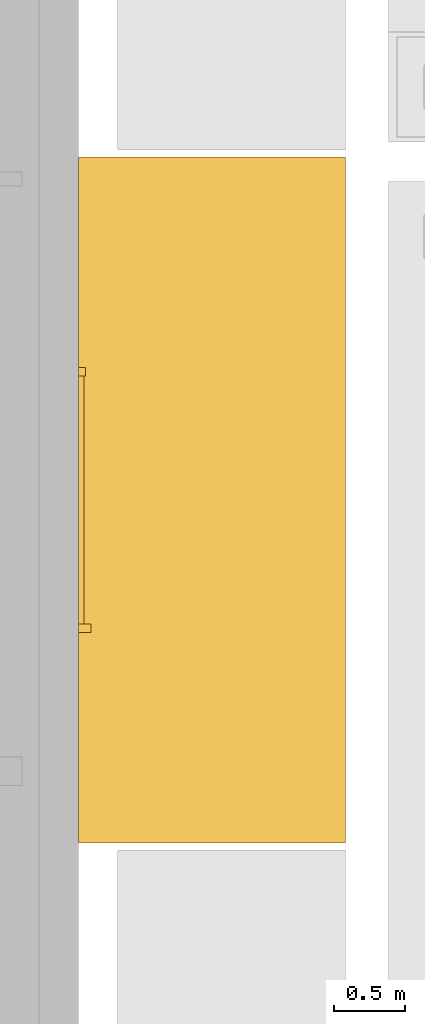
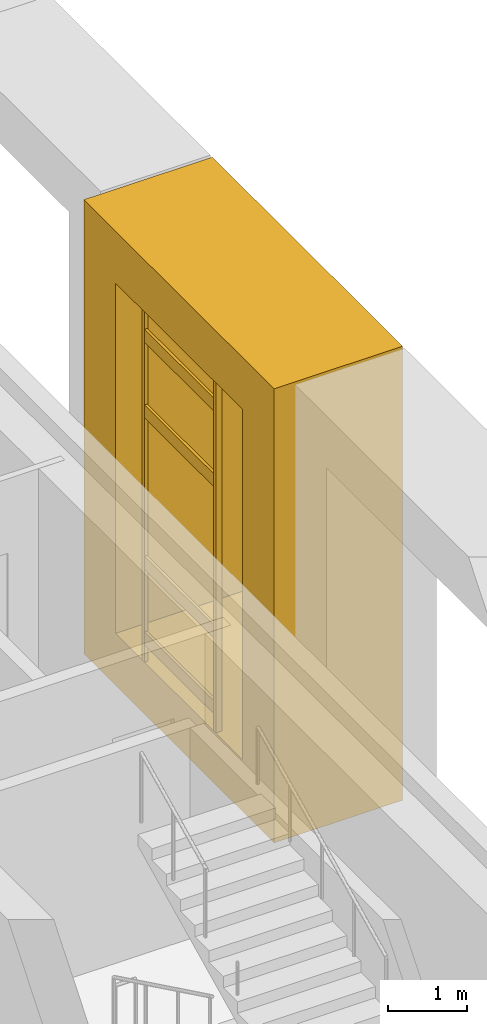
# One storey, part 20 of 22: 7 coverings.
"""IFC4 building model written with IfcOpenShell, lengths in metres."""

from ifc_helpers import new_model, si_unit, direction, frame, origin, origin_2d, place, context, subcontext, project, spatial, polyline, rectangle, outline, extrude, material, type_object, element, save


model = new_model("IFC4")

# Units and contexts
model_context = context("Model", 3, precision=1e-05, world=origin(), true_north=direction((0.0, 1.0)))
body_context = subcontext(model_context, "Body", "Model", "MODEL_VIEW")
ifc_project = project(units=[si_unit("LENGTHUNIT", "METRE"), si_unit("AREAUNIT", "SQUARE_METRE"), si_unit("VOLUMEUNIT", "CUBIC_METRE"), si_unit("PLANEANGLEUNIT", "RADIAN"), si_unit("MASSUNIT", "GRAM", prefix="KILO")], contexts=[model_context])

# Site, building, storey
site_placement = place(None, origin())
site = spatial("IfcSite", under=ifc_project, at=site_placement, CompositionType="ELEMENT")
building_placement = place(site_placement, origin())
building = spatial("IfcBuilding", under=site, at=building_placement, Name="Cobrizo Arcos Hotel Tower", CompositionType="ELEMENT")
storey_placement = place(building_placement, frame((0.0, 0.0, 162.0)))
storey = spatial("IfcBuildingStorey", under=building, at=storey_placement, Name="L41", CompositionType="ELEMENT", Elevation=162.0)

# Coverings
ifc_material_1 = material(Name="Aluminium 6063-T6 anodised bronze", Category="aluminium")
covering_type_1 = type_object("IfcCoveringType", Name="FIN-F 1875", PredefinedType="CLADDING", material=ifc_material_1)
covering_1_placement = place(storey_placement, frame((21.875, -2.403564453125, 0.0), z_axis=(1.0, 0.0, 0.0), x_axis=(0.0, 1.0, 0.0)))
element("IfcCovering", 1, at=covering_1_placement, inside=storey, type_object=covering_type_1, Name="Fin frame 213", PredefinedType="CLADDING", context=body_context, shape_type="SweptSolid", body=[
    extrude(outline(polyline([(0.0, 7.0), (0.0, 0.0), (4.80712890625, 0.0), (4.80712890625, 7.0), (0.0, 7.0)]), holes=[polyline([(4.007080078125, 0.800048828125), (0.800048828125, 0.800048828125), (0.800048828125, 6.199951171875), (4.007080078125, 6.199951171875), (4.007080078125, 0.800048828125)])]), origin(), (0.0, 0.0, 1.0), 1.875),
])
ifc_material_2 = material(Name="Aluminium 6063-T6 anodised pale", Category="aluminium")
covering_type_2 = type_object("IfcCoveringType", Name="RS-1 rainscreen rib 60x90", PredefinedType="CLADDING", material=ifc_material_2)
covering_2_placement = place(storey_placement, frame((21.919921875, -0.89990234375, 0.800048828125), z_axis=(0.0, 0.0, 1.0), x_axis=(0.0, 1.0, 0.0)))
element("IfcCovering", 2, at=covering_2_placement, inside=storey, type_object=covering_type_2, Name="Rainscreen rib 173", PredefinedType="CLADDING", context=body_context, shape_type="SweptSolid", body=[
    extrude(rectangle(XDim=0.06005859375, YDim=0.090087890625, at=origin_2d()), origin(), (0.0, 0.0, 1.0), 5.39990234375),
])
covering_type_3 = type_object("IfcCoveringType", Name="RS-2 rainscreen rib 60x50", PredefinedType="CLADDING", material=ifc_material_2)
covering_3_placement = place(storey_placement, frame((21.89990234375, 0.89990234375, 0.800048828125), z_axis=(0.0, 0.0, 1.0), x_axis=(0.0, 1.0, 0.0)))
element("IfcCovering", 3, at=covering_3_placement, inside=storey, type_object=covering_type_3, Name="Rainscreen rib 174", PredefinedType="CLADDING", context=body_context, shape_type="SweptSolid", body=[
    extrude(rectangle(XDim=0.06005859375, YDim=0.050048828125, at=origin_2d()), origin(), (0.0, 0.0, 1.0), 5.39990234375),
])
covering_type_4 = type_object("IfcCoveringType", Name="RS-3 rainscreen louvre slat 200x40", PredefinedType="CLADDING", material=ifc_material_2)
for number, where, z_axis, x_axis, name in (
    (4, (21.89501953125, 0.0, 1.06689453125), (0.0, 0.0, 1.0), (0.0, 1.0, 0.0), "Rainscreen slat 17"),
    (5, (21.89501953125, 0.0, 2.2333984375), (0.0, 0.0, 1.0), (0.0, 1.0, 0.0), "Rainscreen slat 18"),
    (6, (21.89501953125, 0.0, 4.56689453125), (0.0, 0.0, 1.0), (0.0, 1.0, 0.0), "Rainscreen slat 19"),
    (7, (21.89501953125, 0.0, 5.7333984375), (0.0, 0.0, 1.0), (0.0, 1.0, 0.0), "Rainscreen slat 20"),
):
    element("IfcCovering", number, at=place(storey_placement, frame(where, z_axis=z_axis, x_axis=x_axis)), inside=storey, type_object=covering_type_4, Name=name, PredefinedType="CLADDING", context=body_context, shape_type="SweptSolid", body=[
        extrude(rectangle(XDim=1.739990234375, YDim=0.0400390625, at=origin_2d()), origin(), (0.0, 0.0, 1.0), 0.199951171875),
    ])

save(model, "model.ifc")
